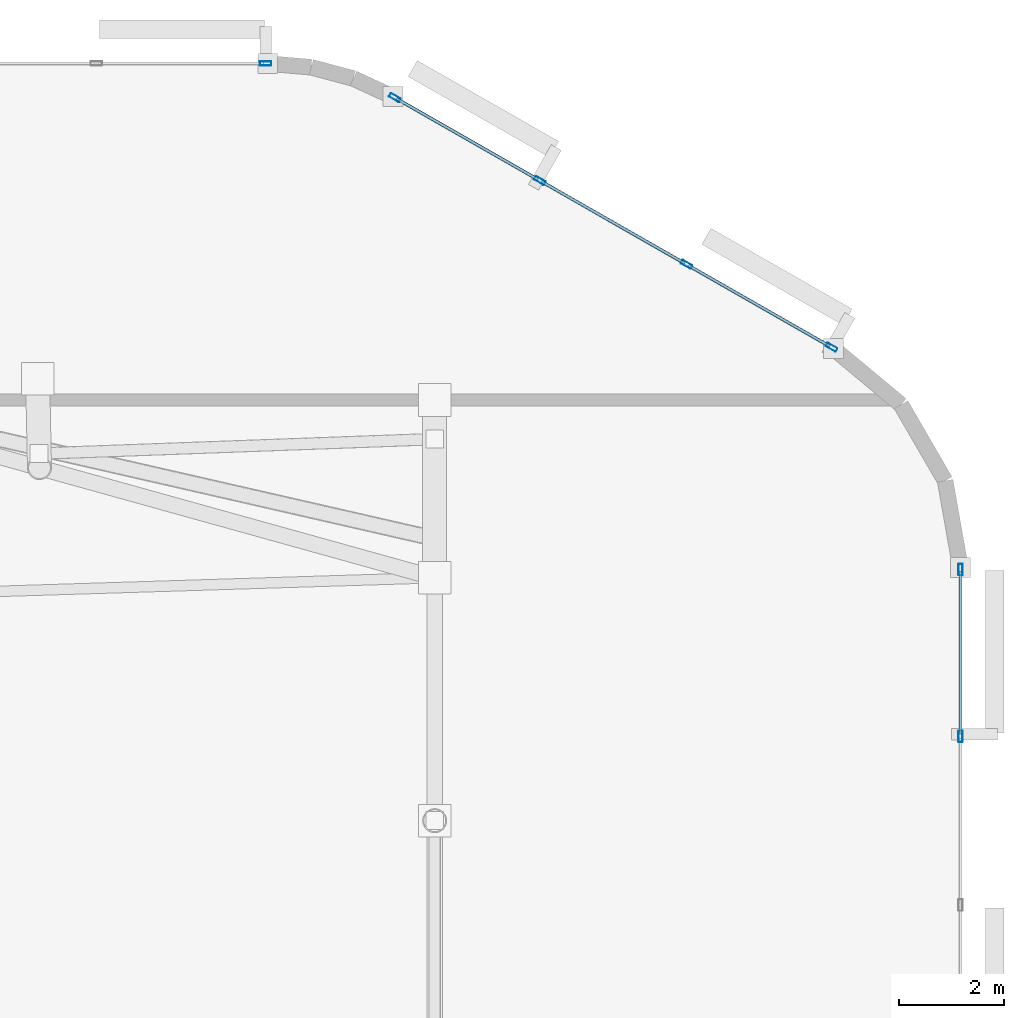
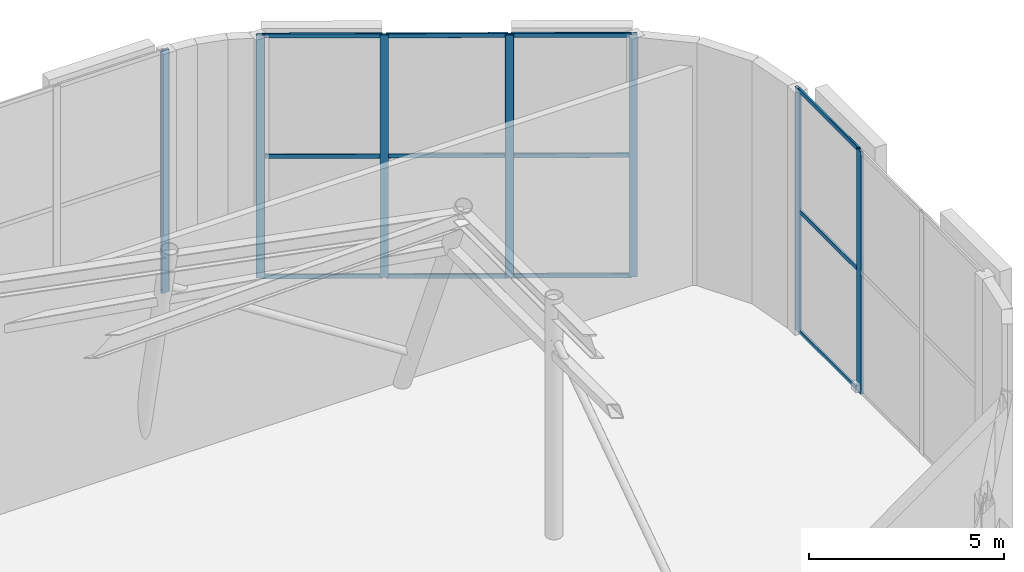
# One storey, part 16 of 22: 19 members, 3 elements without a shape of their own.
"""IFC4 building model written with IfcOpenShell, lengths in metres."""

from ifc_helpers import new_model, si_unit, direction, frame, origin, origin_2d, place, context, subcontext, project, spatial, hollow_rectangle, extrude, material, layer, layer_set, material_profile, profile_set, type_object, element, aggregate, save


model = new_model("IFC4")

# Units and contexts
model_context = context("Model", 3, precision=1e-05, world=origin(), true_north=direction((0.0, 1.0)))
body_context = subcontext(model_context, "Body", "Model", "MODEL_VIEW")
ifc_project = project(units=[si_unit("LENGTHUNIT", "METRE"), si_unit("AREAUNIT", "SQUARE_METRE"), si_unit("VOLUMEUNIT", "CUBIC_METRE"), si_unit("PLANEANGLEUNIT", "RADIAN"), si_unit("MASSUNIT", "GRAM", prefix="KILO")], contexts=[model_context])

# Site, building, storey
site_placement = place(None, origin())
site = spatial("IfcSite", under=ifc_project, at=site_placement, CompositionType="ELEMENT")
building_placement = place(site_placement, origin())
building = spatial("IfcBuilding", under=site, at=building_placement, Name="An Khanh Terracotta Commons", CompositionType="ELEMENT")
storey_placement = place(building_placement, frame((0.0, 0.0, 300.39990234375)))
storey = spatial("IfcBuildingStorey", under=building, at=storey_placement, Name="L78 Crown Damper Chamber", CompositionType="ELEMENT", Elevation=300.39990234375)

# Curtain wall, members
ifc_material = material(Name="Anodised Aluminium 6063-T6", Category="aluminium")
ifc_layer = layer(ifc_material, 0.25, Name="Anodised Aluminium 6063-T6")
ifc_layer_set = layer_set([ifc_layer], Name="Anodised Aluminium 6063-T6")
curtain_wall_type = type_object("IfcCurtainWallType", Name="CW-SYS-05", PredefinedType="USERDEFINED", material=ifc_layer_set)
curtain_wall_1_placement = place(storey_placement, origin())
curtain_wall_1 = element("IfcCurtainWall", 1, at=curtain_wall_1_placement, inside=storey, type_object=curtain_wall_type, Name="L78 Crown Damper Chamber CW-05 Unitised Curtain Wall CW-L78-12", ObjectType="UNITISED CURTAIN WALL", PredefinedType="USERDEFINED")
ifc_material_profile_1 = material_profile(ifc_material, hollow_rectangle(XDim=0.080078125, YDim=0.219970703125, WallThickness=0.0048828125, InnerFilletRadius=0.0048828125, OuterFilletRadius=0.010009765625, at=origin_2d()), Name="RHS220x80x5")
ifc_profile_set_1 = profile_set([ifc_material_profile_1], Name="Anodised Aluminium 6063-T6")
member_type_1 = type_object("IfcMemberType", Name="CWM-RHS220x80x5", PredefinedType="MULLION", material=ifc_profile_set_1)
member_1_placement = place(storey_placement, frame((73.39990234375, 25.604736328125, 0.0), z_axis=(0.0, 0.0, 1.0), x_axis=(-1.0, 0.0, 0.0)))
member_1 = element("IfcMember", 2, at=member_1_placement, type_object=member_type_1, Name="CW-05 mullion 3", PredefinedType="MULLION", context=body_context, shape_type="SweptSolid", body=[
    extrude(hollow_rectangle(XDim=0.080078125, YDim=0.219970703125, WallThickness=0.0048828125, InnerFilletRadius=0.0048828125, OuterFilletRadius=0.010009765625, at=origin_2d()), origin(), (0.0, 0.0, 1.0), 7.60009765625),
])
member_2_placement = place(storey_placement, frame((73.39990234375, 28.77392578125, 0.0), z_axis=(0.0, 0.0, 1.0), x_axis=(-1.0, 0.0, 0.0)))
member_2 = element("IfcMember", 3, at=member_2_placement, type_object=member_type_1, Name="CW-05 mullion 4", PredefinedType="MULLION", context=body_context, shape_type="SweptSolid", body=[
    extrude(hollow_rectangle(XDim=0.080078125, YDim=0.219970703125, WallThickness=0.0048828125, InnerFilletRadius=0.0048828125, OuterFilletRadius=0.010009765625, at=origin_2d()), origin(), (0.0, 0.0, 1.0), 7.60009765625),
])

curtain_wall_2_placement = place(storey_placement, origin())
curtain_wall_2 = element("IfcCurtainWall", 4, at=curtain_wall_2_placement, inside=storey, type_object=curtain_wall_type, Name="L78 Crown Damper Chamber CW-05 Unitised Curtain Wall CW-L78-16", ObjectType="UNITISED CURTAIN WALL", PredefinedType="USERDEFINED")
member_3_placement = place(storey_placement, frame((70.9462890625, 33.001953125, 0.0), z_axis=(0.0, 0.0, 1.0), x_axis=(-0.496205929228, -0.868204858198, 0.0)))
member_3 = element("IfcMember", 5, at=member_3_placement, type_object=member_type_1, Name="CW-05 mullion 1", PredefinedType="MULLION", context=body_context, shape_type="SweptSolid", body=[
    extrude(hollow_rectangle(XDim=0.080078125, YDim=0.219970703125, WallThickness=0.0048828125, InnerFilletRadius=0.0048828125, OuterFilletRadius=0.010009765625, at=origin_2d()), origin(), (0.0, 0.0, 1.0), 7.60009765625),
])
member_4_placement = place(storey_placement, frame((68.189697265625, 34.577392578125, 0.0), z_axis=(0.0, 0.0, 1.0), x_axis=(-0.496205929228, -0.868204858198, 0.0)))
member_4 = element("IfcMember", 6, at=member_4_placement, type_object=member_type_1, Name="CW-05 mullion 2", PredefinedType="MULLION", context=body_context, shape_type="SweptSolid", body=[
    extrude(hollow_rectangle(XDim=0.080078125, YDim=0.219970703125, WallThickness=0.0048828125, InnerFilletRadius=0.0048828125, OuterFilletRadius=0.010009765625, at=origin_2d()), origin(), (0.0, 0.0, 1.0), 7.60009765625),
])
member_5_placement = place(storey_placement, frame((65.3984375, 36.172607421875, 0.0), z_axis=(0.0, 0.0, 1.0), x_axis=(-0.496205929228, -0.868204858198, 0.0)))
member_5 = element("IfcMember", 7, at=member_5_placement, type_object=member_type_1, Name="CW-05 mullion 3", PredefinedType="MULLION", context=body_context, shape_type="SweptSolid", body=[
    extrude(hollow_rectangle(XDim=0.080078125, YDim=0.219970703125, WallThickness=0.0048828125, InnerFilletRadius=0.0048828125, OuterFilletRadius=0.010009765625, at=origin_2d()), origin(), (0.0, 0.0, 1.0), 7.60009765625),
])
member_6_placement = place(storey_placement, frame((62.641845703125, 37.748046875, 0.0), z_axis=(0.0, 0.0, 1.0), x_axis=(-0.496205929228, -0.868204858198, 0.0)))
member_6 = element("IfcMember", 8, at=member_6_placement, type_object=member_type_1, Name="CW-05 mullion 4", PredefinedType="MULLION", context=body_context, shape_type="SweptSolid", body=[
    extrude(hollow_rectangle(XDim=0.080078125, YDim=0.219970703125, WallThickness=0.0048828125, InnerFilletRadius=0.0048828125, OuterFilletRadius=0.010009765625, at=origin_2d()), origin(), (0.0, 0.0, 1.0), 7.60009765625),
])

# Curtain wall, member
curtain_wall_3_placement = place(storey_placement, origin())
curtain_wall_3 = element("IfcCurtainWall", 9, at=curtain_wall_3_placement, inside=storey, type_object=curtain_wall_type, Name="L78 Crown Damper Chamber CW-05 Unitised Curtain Wall CW-L78-20", ObjectType="UNITISED CURTAIN WALL", PredefinedType="USERDEFINED")
member_7_placement = place(storey_placement, frame((60.18505859375, 38.39990234375, 0.0), z_axis=(0.0, 0.0, 1.0), x_axis=(0.0, -1.0, 0.0)))
member_7 = element("IfcMember", 10, at=member_7_placement, type_object=member_type_1, Name="CW-05 mullion 1", PredefinedType="MULLION", context=body_context, shape_type="SweptSolid", body=[
    extrude(hollow_rectangle(XDim=0.080078125, YDim=0.219970703125, WallThickness=0.0048828125, InnerFilletRadius=0.0048828125, OuterFilletRadius=0.010009765625, at=origin_2d()), origin(), (0.0, 0.0, 1.0), 7.60009765625),
])
aggregate(curtain_wall_3, [member_7])

# Member
ifc_material_profile_2 = material_profile(ifc_material, hollow_rectangle(XDim=0.06005859375, YDim=0.135009765625, WallThickness=0.003662109375, InnerFilletRadius=0.003662109375, OuterFilletRadius=0.007080078125, at=origin_2d()), Name="RHS135x60x3.6")
ifc_profile_set_2 = profile_set([ifc_material_profile_2], Name="Anodised Aluminium 6063-T6")
member_type_2 = type_object("IfcMemberType", Name="CWT-RHS135x60x3.6", PredefinedType="USERDEFINED", material=ifc_profile_set_2)
member_8_placement = place(storey_placement, frame((73.39990234375, 25.644775390625, 0.030029296875), z_axis=(0.0, 1.0, 0.0), x_axis=(-1.0, 0.0, 0.0)))
member_8 = element("IfcMember", 11, at=member_8_placement, type_object=member_type_2, Name="CW-05 transom 3.1", ObjectType="TRANSOM", PredefinedType="USERDEFINED", context=body_context, shape_type="SweptSolid", body=[
    extrude(hollow_rectangle(XDim=0.06005859375, YDim=0.135009765625, WallThickness=0.003662109375, InnerFilletRadius=0.003662109375, OuterFilletRadius=0.007080078125, at=origin_2d()), origin(), (0.0, 0.0, 1.0), 3.089111328125),
])

member_9_placement = place(storey_placement, frame((73.39990234375, 25.644775390625, 3.800048828125), z_axis=(0.0, 1.0, 0.0), x_axis=(-1.0, 0.0, 0.0)))
member_9 = element("IfcMember", 12, at=member_9_placement, type_object=member_type_2, Name="CW-05 transom 3.2", ObjectType="TRANSOM", PredefinedType="USERDEFINED", context=body_context, shape_type="SweptSolid", body=[
    extrude(hollow_rectangle(XDim=0.06005859375, YDim=0.135009765625, WallThickness=0.003662109375, InnerFilletRadius=0.003662109375, OuterFilletRadius=0.007080078125, at=origin_2d()), origin(), (0.0, 0.0, 1.0), 3.089111328125),
])

member_10_placement = place(storey_placement, frame((73.39990234375, 25.644775390625, 7.570068359375), z_axis=(0.0, 1.0, 0.0), x_axis=(-1.0, 0.0, 0.0)))
member_10 = element("IfcMember", 13, at=member_10_placement, type_object=member_type_2, Name="CW-05 transom 3.3", ObjectType="TRANSOM", PredefinedType="USERDEFINED", context=body_context, shape_type="SweptSolid", body=[
    extrude(hollow_rectangle(XDim=0.06005859375, YDim=0.135009765625, WallThickness=0.003662109375, InnerFilletRadius=0.003662109375, OuterFilletRadius=0.007080078125, at=origin_2d()), origin(), (0.0, 0.0, 1.0), 3.089111328125),
])

aggregate(curtain_wall_1, [member_1, member_2, member_8, member_9, member_10])

member_11_placement = place(storey_placement, frame((70.91162109375, 33.021728515625, 0.030029296875), z_axis=(-0.868233433636, 0.496155927825, 0.0), x_axis=(-0.496155927825, -0.868233433636, 0.0)))
member_11 = element("IfcMember", 14, at=member_11_placement, type_object=member_type_2, Name="CW-05 transom 1.1", ObjectType="TRANSOM", PredefinedType="USERDEFINED", context=body_context, shape_type="SweptSolid", body=[
    extrude(hollow_rectangle(XDim=0.06005859375, YDim=0.135009765625, WallThickness=0.003662109375, InnerFilletRadius=0.003662109375, OuterFilletRadius=0.007080078125, at=origin_2d()), origin(), (0.0, 0.0, 1.0), 3.094970703125),
])

member_12_placement = place(storey_placement, frame((70.91162109375, 33.021728515625, 3.800048828125), z_axis=(-0.868233433636, 0.496155927825, 0.0), x_axis=(-0.496155927825, -0.868233433636, 0.0)))
member_12 = element("IfcMember", 15, at=member_12_placement, type_object=member_type_2, Name="CW-05 transom 1.2", ObjectType="TRANSOM", PredefinedType="USERDEFINED", context=body_context, shape_type="SweptSolid", body=[
    extrude(hollow_rectangle(XDim=0.06005859375, YDim=0.135009765625, WallThickness=0.003662109375, InnerFilletRadius=0.003662109375, OuterFilletRadius=0.007080078125, at=origin_2d()), origin(), (0.0, 0.0, 1.0), 3.094970703125),
])

member_13_placement = place(storey_placement, frame((70.91162109375, 33.021728515625, 7.570068359375), z_axis=(-0.868233433636, 0.496155927825, 0.0), x_axis=(-0.496155927825, -0.868233433636, 0.0)))
member_13 = element("IfcMember", 16, at=member_13_placement, type_object=member_type_2, Name="CW-05 transom 1.3", ObjectType="TRANSOM", PredefinedType="USERDEFINED", context=body_context, shape_type="SweptSolid", body=[
    extrude(hollow_rectangle(XDim=0.06005859375, YDim=0.135009765625, WallThickness=0.003662109375, InnerFilletRadius=0.003662109375, OuterFilletRadius=0.007080078125, at=origin_2d()), origin(), (0.0, 0.0, 1.0), 3.094970703125),
])

member_14_placement = place(storey_placement, frame((68.155029296875, 34.59716796875, 0.030029296875), z_axis=(-0.868204802112, 0.496206027362, 0.0), x_axis=(-0.496206027362, -0.868204802112, 0.0)))
member_14 = element("IfcMember", 17, at=member_14_placement, type_object=member_type_2, Name="CW-05 transom 2.1", ObjectType="TRANSOM", PredefinedType="USERDEFINED", context=body_context, shape_type="SweptSolid", body=[
    extrude(hollow_rectangle(XDim=0.06005859375, YDim=0.135009765625, WallThickness=0.003662109375, InnerFilletRadius=0.003662109375, OuterFilletRadius=0.007080078125, at=origin_2d()), origin(), (0.0, 0.0, 1.0), 3.135009765625),
])

member_15_placement = place(storey_placement, frame((68.155029296875, 34.59716796875, 3.800048828125), z_axis=(-0.868204802112, 0.496206027362, 0.0), x_axis=(-0.496206027362, -0.868204802112, 0.0)))
member_15 = element("IfcMember", 18, at=member_15_placement, type_object=member_type_2, Name="CW-05 transom 2.2", ObjectType="TRANSOM", PredefinedType="USERDEFINED", context=body_context, shape_type="SweptSolid", body=[
    extrude(hollow_rectangle(XDim=0.06005859375, YDim=0.135009765625, WallThickness=0.003662109375, InnerFilletRadius=0.003662109375, OuterFilletRadius=0.007080078125, at=origin_2d()), origin(), (0.0, 0.0, 1.0), 3.135009765625),
])

member_16_placement = place(storey_placement, frame((68.155029296875, 34.59716796875, 7.570068359375), z_axis=(-0.868204802112, 0.496206027362, 0.0), x_axis=(-0.496206027362, -0.868204802112, 0.0)))
member_16 = element("IfcMember", 19, at=member_16_placement, type_object=member_type_2, Name="CW-05 transom 2.3", ObjectType="TRANSOM", PredefinedType="USERDEFINED", context=body_context, shape_type="SweptSolid", body=[
    extrude(hollow_rectangle(XDim=0.06005859375, YDim=0.135009765625, WallThickness=0.003662109375, InnerFilletRadius=0.003662109375, OuterFilletRadius=0.007080078125, at=origin_2d()), origin(), (0.0, 0.0, 1.0), 3.135009765625),
])

member_17_placement = place(storey_placement, frame((65.363525390625, 36.192626953125, 0.030029296875), z_axis=(-0.868214013668, 0.496189909683, 0.0), x_axis=(-0.496189909683, -0.868214013668, 0.0)))
member_17 = element("IfcMember", 20, at=member_17_placement, type_object=member_type_2, Name="CW-05 transom 3.1", ObjectType="TRANSOM", PredefinedType="USERDEFINED", context=body_context, shape_type="SweptSolid", body=[
    extrude(hollow_rectangle(XDim=0.06005859375, YDim=0.135009765625, WallThickness=0.003662109375, InnerFilletRadius=0.003662109375, OuterFilletRadius=0.007080078125, at=origin_2d()), origin(), (0.0, 0.0, 1.0), 3.094970703125),
])

member_18_placement = place(storey_placement, frame((65.363525390625, 36.192626953125, 3.800048828125), z_axis=(-0.868214013668, 0.496189909683, 0.0), x_axis=(-0.496189909683, -0.868214013668, 0.0)))
member_18 = element("IfcMember", 21, at=member_18_placement, type_object=member_type_2, Name="CW-05 transom 3.2", ObjectType="TRANSOM", PredefinedType="USERDEFINED", context=body_context, shape_type="SweptSolid", body=[
    extrude(hollow_rectangle(XDim=0.06005859375, YDim=0.135009765625, WallThickness=0.003662109375, InnerFilletRadius=0.003662109375, OuterFilletRadius=0.007080078125, at=origin_2d()), origin(), (0.0, 0.0, 1.0), 3.094970703125),
])

member_19_placement = place(storey_placement, frame((65.363525390625, 36.192626953125, 7.570068359375), z_axis=(-0.868214013668, 0.496189909683, 0.0), x_axis=(-0.496189909683, -0.868214013668, 0.0)))
member_19 = element("IfcMember", 22, at=member_19_placement, type_object=member_type_2, Name="CW-05 transom 3.3", ObjectType="TRANSOM", PredefinedType="USERDEFINED", context=body_context, shape_type="SweptSolid", body=[
    extrude(hollow_rectangle(XDim=0.06005859375, YDim=0.135009765625, WallThickness=0.003662109375, InnerFilletRadius=0.003662109375, OuterFilletRadius=0.007080078125, at=origin_2d()), origin(), (0.0, 0.0, 1.0), 3.094970703125),
])

aggregate(curtain_wall_2, [member_3, member_4, member_5, member_6, member_11, member_12, member_13, member_14, member_15, member_16, member_17, member_18, member_19])

save(model, "model.ifc")
